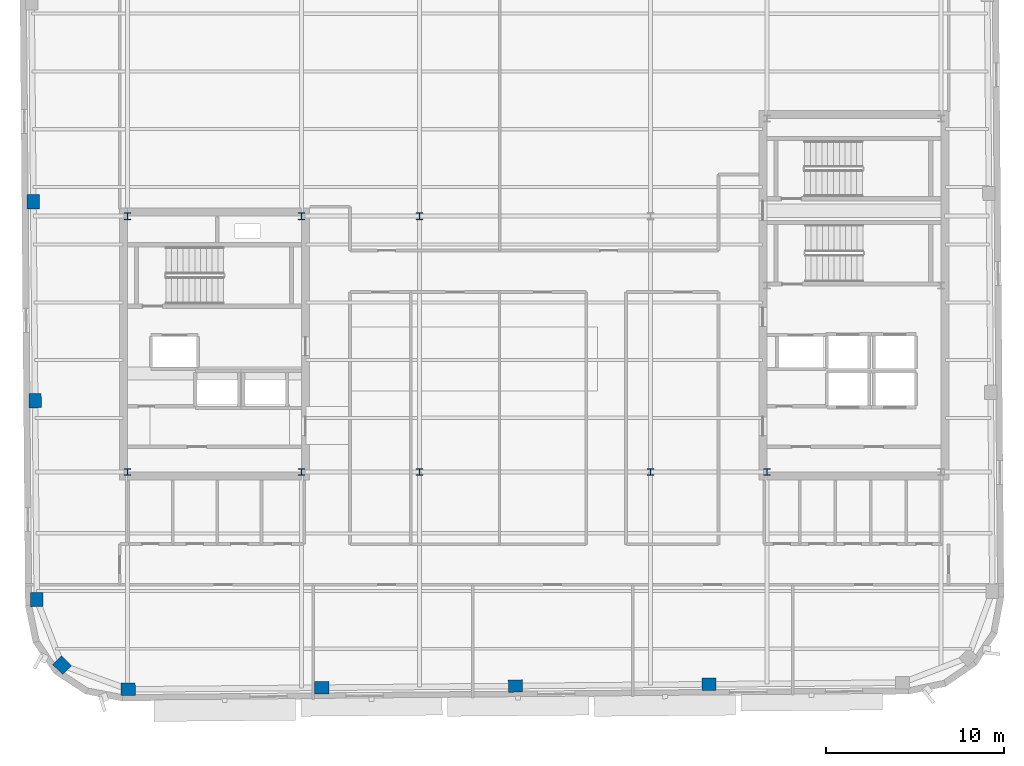
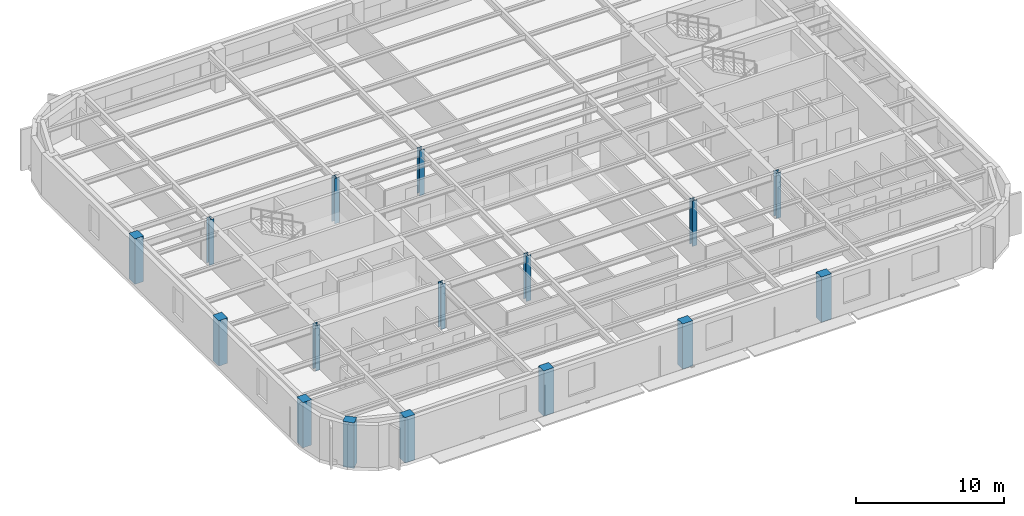
# One storey, part 1 of 15: 16 columns.
"""IFC4 building model written with IfcOpenShell, lengths in metres."""

import ifcopenshell
import ifcopenshell.guid

model = None  # the IFC model being written
_history = None  # IfcOwnerHistory: only IFC2X3 demands one
_inside = {}  # id of a spatial element -> (the spatial element, [elements in it])
_under = {}  # id of a project, library or spatial element -> (it, [spatial elements below it])
_declared = {}  # id of a project -> (the project, [libraries it declares])
_typed = {}  # id of a type object -> (the type object, [elements of that type])
_made_of = {}  # id of a material, layer set ... -> (it, [elements and type objects made of it])


def new_model(schema):
    """Start an empty IFC model of exactly this schema.

    Asked for "IFC4X3", IfcOpenShell would pick the latest addendum, in which some entities
    have other attributes; the version numbers below select the first issue.
    IFC2X3 requires an IfcOwnerHistory on every rooted entity: one is made here for all.
    """
    global model, _history
    if schema == "IFC4X3":
        model = ifcopenshell.file(schema_version=(4, 3, 0, 0))
    else:
        model = ifcopenshell.file(schema=schema)
    _inside.clear()
    _under.clear()
    _declared.clear()
    _typed.clear()
    _made_of.clear()
    _history = None
    if model.schema == "IFC2X3":
        org = make("IfcOrganization", Name="unknown")
        user = make(
            "IfcPersonAndOrganization",
            ThePerson=make("IfcPerson", FamilyName="unknown"),
            TheOrganization=org,
        )
        app = make(
            "IfcApplication",
            ApplicationDeveloper=org,
            Version="unknown",
            ApplicationFullName="unknown",
            ApplicationIdentifier="unknown",
        )
        _history = make(
            "IfcOwnerHistory",
            OwningUser=user,
            OwningApplication=app,
            ChangeAction="ADDED",
            CreationDate=0,
        )
    return model


def make(cls, **values):
    """One entity of the class cls with the attributes given. An attribute that is None is left unset."""
    return model.create_entity(
        cls, **{name: value for name, value in values.items() if value is not None}
    )


def rooted(cls, **values):
    """An entity with a GlobalId (a new one), such as an element, a storey or a relation."""
    return make(cls, GlobalId=ifcopenshell.guid.new(), OwnerHistory=_history, **values)


def si_unit(unit_type, name, prefix=None):
    """IfcSIUnit, for example si_unit("LENGTHUNIT", "METRE", prefix="MILLI")."""
    return make("IfcSIUnit", UnitType=unit_type, Prefix=prefix, Name=name)


def assignment(units):
    """IfcUnitAssignment: the units of a project."""
    return None if units is None else make("IfcUnitAssignment", Units=units)


def point(xyz):
    """IfcCartesianPoint."""
    return None if xyz is None else make("IfcCartesianPoint", Coordinates=xyz)


def direction(xyz):
    """IfcDirection."""
    return None if xyz is None else make("IfcDirection", DirectionRatios=xyz)


def frame(location, z_axis=None, x_axis=None):
    """IfcAxis2Placement3D, a coordinate frame: its origin and axes. An axis left out is left unset."""
    return make(
        "IfcAxis2Placement3D",
        Location=point(location),
        Axis=direction(z_axis),
        RefDirection=direction(x_axis),
    )


def frame_2d(location, x_axis=None):
    """IfcAxis2Placement2D, a coordinate frame in the plane: its origin and x axis."""
    return make(
        "IfcAxis2Placement2D", Location=point(location), RefDirection=direction(x_axis)
    )


def origin():
    """The frame at (0, 0, 0) with its axes left unset."""
    return frame((0.0, 0.0, 0.0))


def origin_2d():
    """The frame at (0, 0) in the plane with its x axis left unset."""
    return frame_2d((0.0, 0.0))


def place(relative_to, where):
    """IfcLocalPlacement: puts the frame where relative to a parent placement (None: the world)."""
    return make(
        "IfcLocalPlacement", PlacementRelTo=relative_to, RelativePlacement=where
    )


def context(
    kind, dimensions, precision=None, world=None, true_north=None, identifier=None
):
    """IfcGeometricRepresentationContext, for example the 3D "Model" context."""
    return make(
        "IfcGeometricRepresentationContext",
        ContextIdentifier=identifier,
        ContextType=kind,
        CoordinateSpaceDimension=dimensions,
        Precision=precision,
        WorldCoordinateSystem=world,
        TrueNorth=true_north,
    )


def subcontext(parent, identifier, kind, view, scale=None):
    """IfcGeometricRepresentationSubContext, for example "Body" below "Model"."""
    return make(
        "IfcGeometricRepresentationSubContext",
        ContextIdentifier=identifier,
        ContextType=kind,
        ParentContext=parent,
        TargetScale=scale,
        TargetView=view,
    )


def project(units=None, contexts=None):
    """IfcProject with its units and contexts."""
    return rooted(
        "IfcProject",
        Name="project",
        RepresentationContexts=contexts,
        UnitsInContext=assignment(units),
    )


def spatial(cls, under=None, at=None, **own):
    """A site, building, storey or space (cls), placed at a placement, below another one or the project."""
    s = rooted(cls, ObjectPlacement=at, **own)
    if under is not None:
        _under.setdefault(under.id(), (under, []))[1].append(s)
    return s


def profile(cls, at=None, kind="AREA", **sizes):
    """A parametric profile (cls). Its sizes go by their IFC names, for example OverallWidth=200.0."""
    return make(cls, ProfileType=kind, Position=at, **sizes)


def rectangle(**sizes):
    """IfcRectangleProfileDef."""
    return profile("IfcRectangleProfileDef", **sizes)


def i_section(**sizes):
    """IfcIShapeProfileDef."""
    return profile("IfcIShapeProfileDef", **sizes)


def extrude(swept, where, along, depth):
    """IfcExtrudedAreaSolid: the profile swept, set in the frame where, extruded along a direction by depth."""
    return make(
        "IfcExtrudedAreaSolid",
        SweptArea=swept,
        Position=where,
        ExtrudedDirection=direction(along),
        Depth=depth,
    )


def shape(context_of_items, identifier, shape_type, items):
    """IfcShapeRepresentation: the items that make up one representation, for example the "Body"."""
    return make(
        "IfcShapeRepresentation",
        ContextOfItems=context_of_items,
        RepresentationIdentifier=identifier,
        RepresentationType=shape_type,
        Items=items,
    )


def material(Name=None, Category=None):
    """IfcMaterial."""
    return make("IfcMaterial", Name=Name, Category=Category)


def material_profile(
    of_material, cross_section, Name=None, Category=None, Priority=None
):
    """IfcMaterialProfile: a cross section and its material."""
    return make(
        "IfcMaterialProfile",
        Name=Name,
        Material=of_material,
        Profile=cross_section,
        Priority=Priority,
        Category=Category,
    )


def profile_set(profiles, Name=None, composite=None):
    """IfcMaterialProfileSet."""
    return make(
        "IfcMaterialProfileSet",
        Name=Name,
        MaterialProfiles=profiles,
        CompositeProfile=composite,
    )


def made_of(thing, what):
    """Note that an element or type object is made of a material, layer set ...; save() writes the relation."""
    if what is not None:
        _made_of.setdefault(what.id(), (what, []))[1].append(thing)
    return thing


def type_object(cls, material=None, **own):
    """A type object (cls), such as IfcWallType, which elements share."""
    return made_of(rooted(cls, **own), material)


def element(
    cls,
    number,
    at=None,
    inside=None,
    cuts=None,
    type_object=None,
    material=None,
    context=None,
    identifier="Body",
    shape_type=None,
    held_by="IfcProductDefinitionShape",
    body=None,
    shapes=None,
    **own,
):
    """One element of the class cls, such as IfcWall. Its Tag is "e" and its number.

    at: its placement. inside: the storey or other place that contains it. cuts: it is an
    opening in that element (IfcRelVoidsElement). A single representation is given by context,
    identifier, shape_type and body (its items); several are given by shapes. held_by: the class
    of the entity that holds the representations. save() writes the other relations.
    """
    e = rooted(cls, Tag="e%d" % number, ObjectPlacement=at, **own)
    if body is not None:
        shapes = [shape(context, identifier, shape_type, body)]
    if shapes is not None:
        e.Representation = make(held_by, Representations=shapes)
    if inside is not None:
        _inside.setdefault(inside.id(), (inside, []))[1].append(e)
    if cuts is not None:
        rooted(
            "IfcRelVoidsElement", RelatingBuildingElement=cuts, RelatedOpeningElement=e
        )
    if type_object is not None:
        _typed.setdefault(type_object.id(), (type_object, []))[1].append(e)
    return made_of(e, material)


def aggregate(whole, parts):
    """IfcRelAggregates: a whole, such as a stair, and the parts it consists of."""
    return rooted("IfcRelAggregates", RelatingObject=whole, RelatedObjects=parts)


def save(model, path):
    """Write the relations noted so far, then the file.

    IfcRelAggregates (storeys below a building ...), IfcRelContainedInSpatialStructure (elements
    in a storey), IfcRelDefinesByType, IfcRelAssociatesMaterial and IfcRelDeclares: one each for
    every whole, place, type object, material and project.
    """
    for whole, parts in _under.values():
        aggregate(whole, parts)
    for where, things in _inside.values():
        rooted(
            "IfcRelContainedInSpatialStructure",
            RelatedElements=things,
            RelatingStructure=where,
        )
    for kind, things in _typed.values():
        rooted("IfcRelDefinesByType", RelatedObjects=things, RelatingType=kind)
    for what, things in _made_of.values():
        rooted("IfcRelAssociatesMaterial", RelatedObjects=things, RelatingMaterial=what)
    for by, libraries in _declared.values():
        rooted("IfcRelDeclares", RelatingContext=by, RelatedDefinitions=libraries)
    model.write(path)


model = new_model("IFC4")

# Units and contexts
model_context = context("Model", 3, precision=1e-05, world=origin(), true_north=direction((0.0, 1.0)))
body_context = subcontext(model_context, "Body", "Model", "MODEL_VIEW")
ifc_project = project(units=[si_unit("LENGTHUNIT", "METRE"), si_unit("AREAUNIT", "SQUARE_METRE"), si_unit("VOLUMEUNIT", "CUBIC_METRE"), si_unit("PLANEANGLEUNIT", "RADIAN"), si_unit("MASSUNIT", "GRAM", prefix="KILO")], contexts=[model_context])

# Site, building, storey
site_placement = place(None, origin())
site = spatial("IfcSite", under=ifc_project, at=site_placement, CompositionType="ELEMENT")
building_placement = place(site_placement, origin())
building = spatial("IfcBuilding", under=site, at=building_placement, Name="Kolvaren Arena Tower", CompositionType="ELEMENT")
storey_placement = place(building_placement, frame((0.0, 0.0, 282.39990234375)))
storey = spatial("IfcBuildingStorey", under=building, at=storey_placement, Name="L69", CompositionType="ELEMENT", Elevation=282.39990234375)

# Columns
ifc_material_1 = material(Name="Precast concrete C50/60", Category="concrete")
ifc_material_profile_1 = material_profile(ifc_material_1, rectangle(XDim=0.800048828125, YDim=0.699951171875, at=origin_2d()), Name="RC-800x700")
ifc_profile_set_1 = profile_set([ifc_material_profile_1], Name="Precast concrete C50/60")
column_type_1 = type_object("IfcColumnType", Name="EXCOL-Z5", PredefinedType="COLUMN", material=ifc_profile_set_1)
for number, where, z_axis, x_axis, name in (
    (1, (14.591796875, 7.210693359375, -0.27001953125), (0.0, 0.0, 1.0), (0.999961923064, 0.008726535498, 0.0), "Exoskeleton Perimeter Column 01 (L69)"),
    (2, (25.491455078125, 7.3056640625, -0.27001953125), (0.0, 0.0, 1.0), (0.999961923064, 0.008726535498, 0.0), "Exoskeleton Perimeter Column 02 (L69)"),
    (3, (36.39111328125, 7.40087890625, -0.27001953125), (0.0, 0.0, 1.0), (0.999961923064, 0.008726535498, 0.0), "Exoskeleton Perimeter Column 03 (L69)"),
    (4, (47.290771484375, 7.49609375, -0.27001953125), (0.0, 0.0, 1.0), (0.999961923064, 0.008726535498, 0.0), "Exoskeleton Perimeter Column 04 (L69)"),
    (5, (9.252197265625, 34.6650390625, -0.27001953125), (0.0, 0.0, 1.0), (-0.008726535498, 0.999961923064, 0.0), "Exoskeleton Perimeter Column 19 (L69)"),
    (6, (9.349853515625, 23.465576171875, -0.27001953125), (0.0, 0.0, 1.0), (-0.008726535498, 0.999961923064, 0.0), "Exoskeleton Perimeter Column 20 (L69)"),
    (7, (9.447509765625, 12.265869140625, -0.27001953125), (0.0, 0.0, 1.0), (-0.008726535498, 0.999961923064, 0.0), "Exoskeleton Perimeter Column 21 (L69)"),
    (8, (10.87109375, 8.5693359375, -0.27001953125), (0.0, 0.0, 1.0), (-0.713250449154, 0.7009092643, 0.0), "Exoskeleton Perimeter Column 22 (L69)"),
):
    element("IfcColumn", number, at=place(storey_placement, frame(where, z_axis=z_axis, x_axis=x_axis)), inside=storey, type_object=column_type_1, Name=name, PredefinedType="COLUMN", context=body_context, shape_type="SweptSolid", body=[
        extrude(rectangle(XDim=0.800048828125, YDim=0.699951171875, at=origin_2d()), origin(), (0.0, 0.0, 1.0), 3.75),
    ])
ifc_material_2 = material(Name="Steel ASTM A913 Grade 65", Category="steel")
ifc_material_profile_2 = material_profile(ifc_material_2, i_section(OverallWidth=0.3740234375, OverallDepth=0.3720703125, WebThickness=0.016357421875, FlangeThickness=0.026123046875, FilletRadius=0.02001953125, at=origin_2d()), Name="W360x196")
ifc_profile_set_2 = profile_set([ifc_material_profile_2], Name="Steel ASTM A913 Grade 65")
column_type_2 = type_object("IfcColumnType", Name="SCOL-Z5", PredefinedType="COLUMN", material=ifc_profile_set_2)
for number, where, z_axis, x_axis, name in (
    (9, (14.550048828125, 19.449951171875, -0.27001953125), (0.0, 0.0, 1.0), (1.0, 0.0, 0.0), "Core Boundary Column WC-SW (L69)"),
    (10, (24.35009765625, 19.449951171875, -0.27001953125), (0.0, 0.0, 1.0), (1.0, 0.0, 0.0), "Core Boundary Column WC-SE (L69)"),
    (11, (14.550048828125, 33.85009765625, -0.27001953125), (0.0, 0.0, 1.0), (1.0, 0.0, 0.0), "Core Boundary Column WC-NW (L69)"),
    (12, (24.35009765625, 33.85009765625, -0.27001953125), (0.0, 0.0, 1.0), (1.0, 0.0, 0.0), "Core Boundary Column WC-NE (L69)"),
    (13, (50.550048828125, 19.449951171875, -0.27001953125), (0.0, 0.0, 1.0), (1.0, 0.0, 0.0), "Core Boundary Column EC-SW (L69)"),
    (14, (31.0, 19.449951171875, -0.27001953125), (0.0, 0.0, 1.0), (1.0, 0.0, 0.0), "Interior Gravity Column TC-SW (L69)"),
    (15, (44.0, 19.449951171875, -0.27001953125), (0.0, 0.0, 1.0), (1.0, 0.0, 0.0), "Interior Gravity Column TC-SE (L69)"),
    (16, (31.0, 33.85009765625, -0.27001953125), (0.0, 0.0, 1.0), (1.0, 0.0, 0.0), "Interior Gravity Column TC-NW (L69)"),
):
    element("IfcColumn", number, at=place(storey_placement, frame(where, z_axis=z_axis, x_axis=x_axis)), inside=storey, type_object=column_type_2, Name=name, PredefinedType="COLUMN", context=body_context, shape_type="SweptSolid", body=[
        extrude(i_section(OverallWidth=0.3740234375, OverallDepth=0.3720703125, WebThickness=0.016357421875, FlangeThickness=0.026123046875, FilletRadius=0.02001953125, at=origin_2d()), origin(), (0.0, 0.0, 1.0), 3.75),
    ])

save(model, "model.ifc")
